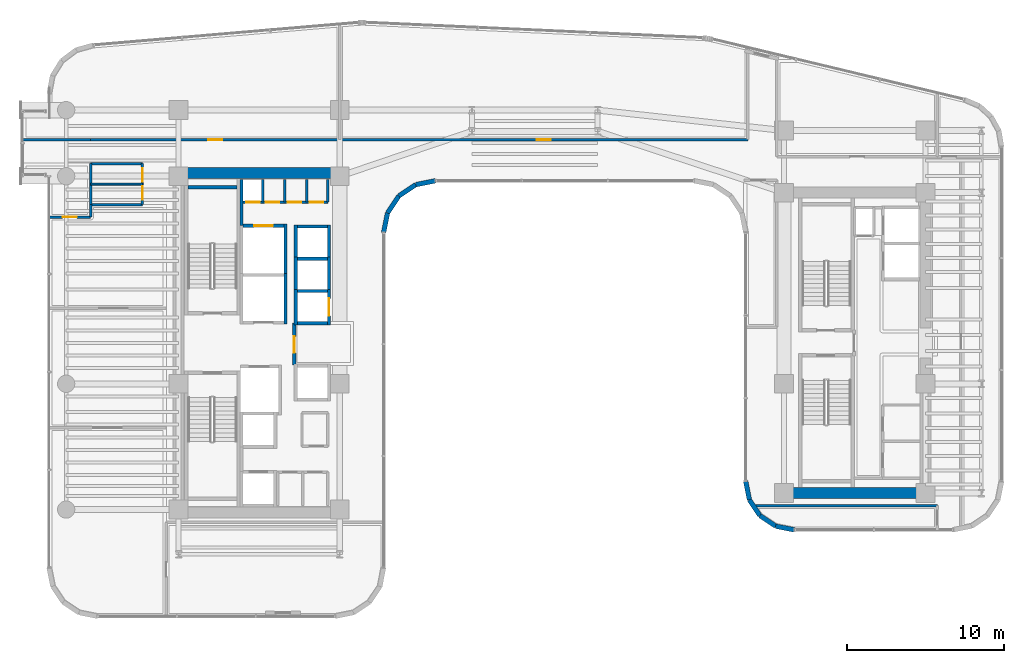
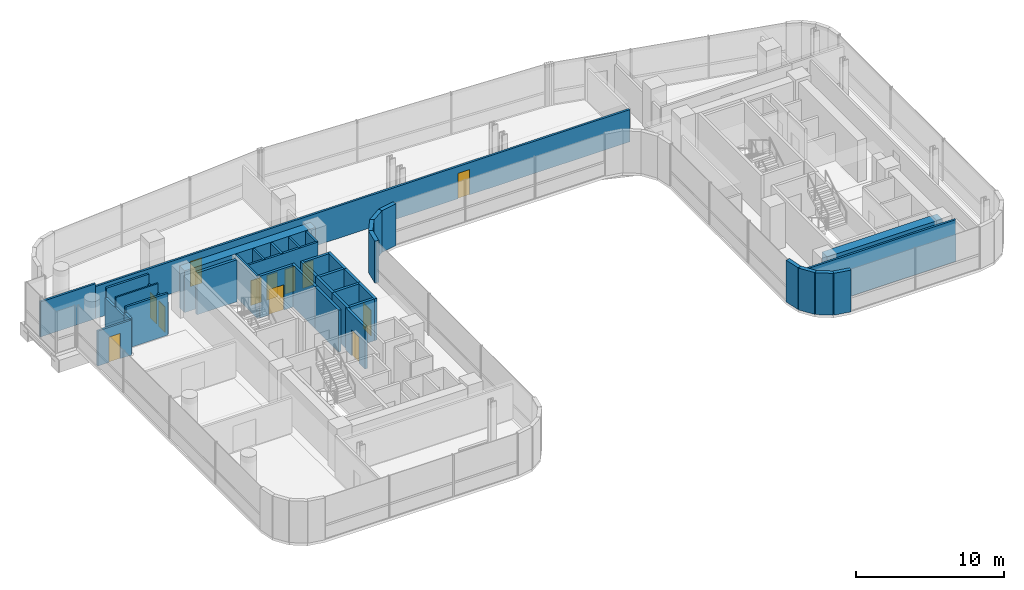
# One storey, part 28 of 35: 41 walls, 12 doors, 12 openings.
"""IFC4 building model written with IfcOpenShell, lengths in metres."""

from ifc_helpers import new_model, si_unit, direction, frame, frame_2d, origin, place, context, subcontext, project, spatial, rectangle, extrude, material, layer, layer_set, type_object, element, fill, save


model = new_model("IFC4")

# Units and contexts
model_context = context("Model", 3, precision=1e-05, world=origin(), true_north=direction((0.0, 1.0)))
body_context = subcontext(model_context, "Body", "Model", "MODEL_VIEW")
ifc_project = project(units=[si_unit("LENGTHUNIT", "METRE"), si_unit("AREAUNIT", "SQUARE_METRE"), si_unit("VOLUMEUNIT", "CUBIC_METRE"), si_unit("PLANEANGLEUNIT", "RADIAN"), si_unit("MASSUNIT", "GRAM", prefix="KILO")], contexts=[model_context])

# Site, building, storey
site_placement = place(None, origin())
site = spatial("IfcSite", under=ifc_project, at=site_placement, CompositionType="ELEMENT")
building_placement = place(site_placement, origin())
building = spatial("IfcBuilding", under=site, at=building_placement, Name="Valdorenza Pilgrim Sanctuary Tower", CompositionType="ELEMENT")
storey_placement = place(building_placement, frame((0.0, 0.0, 124.199951171875)))
storey = spatial("IfcBuildingStorey", under=building, at=storey_placement, Name="L31", CompositionType="ELEMENT", Elevation=124.199951171875)

# Wall
ifc_material_1 = material(Name="Acoustic twin-stud gypsum partition", Category="gypsum")
ifc_layer_1 = layer(ifc_material_1, 0.159912109375, Name="Acoustic twin-stud gypsum partition")
ifc_layer_set_1 = layer_set([ifc_layer_1], Name="Acoustic twin-stud gypsum partition")
wall_type_1 = type_object("IfcWallType", Name="WAL-COR-160", PredefinedType="PARTITIONING", material=ifc_layer_set_1)
wall_1_placement = place(storey_placement, frame((-18.64990234375, 7.449951171875, 0.0), z_axis=(0.0, 0.0, 1.0), x_axis=(0.0, 1.0, 0.0)))
element("IfcWall", 1, at=wall_1_placement, inside=storey, type_object=wall_type_1, Name="L31 Core A North Service West Wall", PredefinedType="PARTITIONING", context=body_context, shape_type="SweptSolid", body=[
    extrude(rectangle(XDim=2.929931640625, YDim=0.159912109375, at=frame_2d((1.46484375, 0.0))), origin(), (0.0, 0.0, 1.0), 3.4599609375),
])

# Wall, openings, doors
wall_2_placement = place(storey_placement, frame((-18.64990234375, 8.949951171875, 0.0), z_axis=(0.0, 0.0, 1.0), x_axis=(1.0, 0.0, 0.0)))
wall_2 = element("IfcWall", 2, at=wall_2_placement, inside=storey, type_object=wall_type_1, Name="L31 Core A North Service South Wall", PredefinedType="PARTITIONING", context=body_context, shape_type="SweptSolid", body=[
    extrude(rectangle(XDim=5.5, YDim=0.159912109375, at=frame_2d((2.75, 0.0))), origin(), (0.0, 0.0, 1.0), 3.4599609375),
])
opening_1_placement = place(wall_2_placement, frame((0.300048828125, 0.0, 0.0)))
opening_1 = element("IfcOpeningElement", 3, at=opening_1_placement, cuts=wall_2, Name="Opening DR-RS1", PredefinedType="OPENING", context=body_context, shape_type="SweptSolid", body=[
    extrude(rectangle(XDim=0.85009765625, YDim=2.050048828125, at=frame_2d((0.425048828125, 1.02490234375))), frame((0.0, 0.0947265625, 0.0), z_axis=(0.0, -1.0, 0.0), x_axis=(1.0, 0.0, 0.0)), (0.0, 0.0, 1.0), 0.189697265625),
])
opening_2_placement = place(wall_2_placement, frame((1.550048828125, 0.0, 0.0)))
opening_2 = element("IfcOpeningElement", 4, at=opening_2_placement, cuts=wall_2, Name="Opening DR-RS1", PredefinedType="OPENING", context=body_context, shape_type="SweptSolid", body=[
    extrude(rectangle(XDim=0.85009765625, YDim=2.050048828125, at=frame_2d((0.425048828125, 1.02490234375))), frame((0.0, 0.0947265625, 0.0), z_axis=(0.0, -1.0, 0.0), x_axis=(1.0, 0.0, 0.0)), (0.0, 0.0, 1.0), 0.189697265625),
])
opening_3_placement = place(wall_2_placement, frame((2.949951171875, 0.0, 0.0)))
opening_3 = element("IfcOpeningElement", 5, at=opening_3_placement, cuts=wall_2, Name="Opening DR-RS1", PredefinedType="OPENING", context=body_context, shape_type="SweptSolid", body=[
    extrude(rectangle(XDim=0.85009765625, YDim=2.050048828125, at=frame_2d((0.425048828125, 1.02490234375))), frame((0.0, 0.0947265625, 0.0), z_axis=(0.0, -1.0, 0.0), x_axis=(1.0, 0.0, 0.0)), (0.0, 0.0, 1.0), 0.189697265625),
])
opening_4_placement = place(wall_2_placement, frame((4.35009765625, 0.0, 0.0)))
opening_4 = element("IfcOpeningElement", 6, at=opening_4_placement, cuts=wall_2, Name="Opening DR-RS1", PredefinedType="OPENING", context=body_context, shape_type="SweptSolid", body=[
    extrude(rectangle(XDim=0.85009765625, YDim=2.050048828125, at=frame_2d((0.425048828125, 1.02490234375))), frame((0.0, 0.0947265625, 0.0), z_axis=(0.0, -1.0, 0.0), x_axis=(1.0, 0.0, 0.0)), (0.0, 0.0, 1.0), 0.189697265625),
])
ifc_material_2 = material(Name="Painted galvanized steel", Category="steel")
door_type_1 = type_object("IfcDoorType", Name="DR-RSR-850", OperationType="NOTDEFINED", PredefinedType="DOOR", material=ifc_material_2)
door_1_placement = place(opening_1_placement, origin())
door_1 = element("IfcDoor", 7, at=door_1_placement, inside=storey, type_object=door_type_1, Name="L31 Core Electrical and Telecom Riser Door", OperationType="SINGLE_SWING_LEFT", OverallHeight=2.050048828125, OverallWidth=0.85009765625, PredefinedType="DOOR", context=body_context, shape_type="SweptSolid", body=[
    extrude(rectangle(XDim=0.85009765625, YDim=2.050048828125, at=frame_2d((0.425048828125, 1.02490234375))), frame((0.0, 0.02490234375, 0.0), z_axis=(0.0, -1.0, 0.0), x_axis=(1.0, 0.0, 0.0)), (0.0, 0.0, 1.0), 0.050048828125),
])
fill(opening_1, door_1)
door_2_placement = place(opening_2_placement, origin())
door_2 = element("IfcDoor", 8, at=door_2_placement, inside=storey, type_object=door_type_1, Name="L31 Housekeeping and Clean Linen Room Door", OperationType="SINGLE_SWING_RIGHT", OverallHeight=2.050048828125, OverallWidth=0.85009765625, PredefinedType="DOOR", context=body_context, shape_type="SweptSolid", body=[
    extrude(rectangle(XDim=0.85009765625, YDim=2.050048828125, at=frame_2d((0.425048828125, 1.02490234375))), frame((0.0, 0.02490234375, 0.0), z_axis=(0.0, -1.0, 0.0), x_axis=(1.0, 0.0, 0.0)), (0.0, 0.0, 1.0), 0.050048828125),
])
fill(opening_2, door_2)
door_3_placement = place(opening_3_placement, origin())
door_3 = element("IfcDoor", 9, at=door_3_placement, inside=storey, type_object=door_type_1, Name="L31 Core IT Server Closet Door", OperationType="SINGLE_SWING_LEFT", OverallHeight=2.050048828125, OverallWidth=0.85009765625, PredefinedType="DOOR", context=body_context, shape_type="SweptSolid", body=[
    extrude(rectangle(XDim=0.85009765625, YDim=2.050048828125, at=frame_2d((0.425048828125, 1.02490234375))), frame((0.0, 0.02490234375, 0.0), z_axis=(0.0, -1.0, 0.0), x_axis=(1.0, 0.0, 0.0)), (0.0, 0.0, 1.0), 0.050048828125),
])
fill(opening_3, door_3)
door_4_placement = place(opening_4_placement, origin())
door_4 = element("IfcDoor", 10, at=door_4_placement, inside=storey, type_object=door_type_1, Name="L31 Core Staff Washroom Door", OperationType="SINGLE_SWING_RIGHT", OverallHeight=2.050048828125, OverallWidth=0.85009765625, PredefinedType="DOOR", context=body_context, shape_type="SweptSolid", body=[
    extrude(rectangle(XDim=0.85009765625, YDim=2.050048828125, at=frame_2d((0.425048828125, 1.02490234375))), frame((0.0, 0.02490234375, 0.0), z_axis=(0.0, -1.0, 0.0), x_axis=(1.0, 0.0, 0.0)), (0.0, 0.0, 1.0), 0.050048828125),
])
fill(opening_4, door_4)

# Walls
for number, where, z_axis, x_axis, name in (
    (11, (-13.14990234375, 8.949951171875, 0.0), (0.0, 0.0, 1.0), (0.0, 1.0, 0.0), "L31 Core A North Service East Wall"),
    (12, (-17.300048828125, 8.949951171875, 0.0), (0.0, 0.0, 1.0), (0.0, 1.0, 0.0), "L31 Core Electrical Riser Wall"),
    (13, (-15.89990234375, 8.949951171875, 0.0), (0.0, 0.0, 1.0), (0.0, 1.0, 0.0), "L31 Core A Split D1"),
    (14, (-14.5, 8.949951171875, 0.0), (0.0, 0.0, 1.0), (0.0, 1.0, 0.0), "L31 Core A Split D2"),
):
    element("IfcWall", number, at=place(storey_placement, frame(where, z_axis=z_axis, x_axis=x_axis)), inside=storey, type_object=wall_type_1, Name=name, PredefinedType="PARTITIONING", context=body_context, shape_type="SweptSolid", body=[
        extrude(rectangle(XDim=1.429931640625, YDim=0.159912109375, at=frame_2d((0.71484375, 0.0))), origin(), (0.0, 0.0, 1.0), 3.4599609375),
    ])
wall_3_placement = place(storey_placement, frame((-28.25, 8.800048828125, 0.0), z_axis=(0.0, 0.0, 1.0), x_axis=(0.0, 1.0, 0.0)))
element("IfcWall", 15, at=wall_3_placement, inside=storey, type_object=wall_type_1, Name="L31 Washroom West Wall", PredefinedType="PARTITIONING", context=body_context, shape_type="SweptSolid", body=[
    extrude(rectangle(XDim=2.599853515625, YDim=0.159912109375, at=frame_2d((1.2998046875, 0.0))), origin(), (0.0, 0.0, 1.0), 2.666015625),
])

# Wall, openings, doors
wall_4_placement = place(storey_placement, frame((-24.949951171875, 8.800048828125, 0.0), z_axis=(0.0, 0.0, 1.0), x_axis=(0.0, 1.0, 0.0)))
wall_4 = element("IfcWall", 16, at=wall_4_placement, inside=storey, type_object=wall_type_1, Name="L31 Washroom East Wall", PredefinedType="PARTITIONING", context=body_context, shape_type="SweptSolid", body=[
    extrude(rectangle(XDim=2.599853515625, YDim=0.159912109375, at=frame_2d((1.2998046875, 0.0))), origin(), (0.0, 0.0, 1.0), 2.666015625),
])
opening_5_placement = place(wall_4_placement, frame((0.300048828125, 0.0, 0.0)))
opening_5 = element("IfcOpeningElement", 17, at=opening_5_placement, cuts=wall_4, Name="Opening DR-WC1", PredefinedType="OPENING", context=body_context, shape_type="SweptSolid", body=[
    extrude(rectangle(XDim=0.85009765625, YDim=2.10009765625, at=frame_2d((0.425048828125, 1.050048828125))), frame((0.0, 0.0947265625, 0.0), z_axis=(0.0, -1.0, 0.0), x_axis=(1.0, 0.0, 0.0)), (0.0, 0.0, 1.0), 0.189697265625),
])
opening_6_placement = place(wall_4_placement, frame((1.449951171875, 0.0, 0.0)))
opening_6 = element("IfcOpeningElement", 18, at=opening_6_placement, cuts=wall_4, Name="Opening DR-WC1", PredefinedType="OPENING", context=body_context, shape_type="SweptSolid", body=[
    extrude(rectangle(XDim=0.85009765625, YDim=2.10009765625, at=frame_2d((0.425048828125, 1.050048828125))), frame((0.0, 0.0947265625, 0.0), z_axis=(0.0, -1.0, 0.0), x_axis=(1.0, 0.0, 0.0)), (0.0, 0.0, 1.0), 0.189697265625),
])
ifc_material_3 = material(Name="Moisture-resistant lacquered timber", Category="wood")
door_type_2 = type_object("IfcDoorType", Name="DR-BATH-850", OperationType="NOTDEFINED", PredefinedType="DOOR", material=ifc_material_3)
door_5_placement = place(opening_5_placement, origin())
door_5 = element("IfcDoor", 19, at=door_5_placement, inside=storey, type_object=door_type_2, Name="L31 Accessible Washroom Door", OperationType="SINGLE_SWING_RIGHT", OverallHeight=2.10009765625, OverallWidth=0.85009765625, PredefinedType="DOOR", context=body_context, shape_type="SweptSolid", body=[
    extrude(rectangle(XDim=0.85009765625, YDim=2.10009765625, at=frame_2d((0.425048828125, 1.050048828125))), frame((0.0, 0.02490234375, 0.0), z_axis=(0.0, -1.0, 0.0), x_axis=(1.0, 0.0, 0.0)), (0.0, 0.0, 1.0), 0.050048828125),
])
fill(opening_5, door_5)
door_6_placement = place(opening_6_placement, origin())
door_6 = element("IfcDoor", 20, at=door_6_placement, inside=storey, type_object=door_type_2, Name="L31 Public Washroom Door", OperationType="SINGLE_SWING_LEFT", OverallHeight=2.10009765625, OverallWidth=0.85009765625, PredefinedType="DOOR", context=body_context, shape_type="SweptSolid", body=[
    extrude(rectangle(XDim=0.85009765625, YDim=2.10009765625, at=frame_2d((0.425048828125, 1.050048828125))), frame((0.0, 0.02490234375, 0.0), z_axis=(0.0, -1.0, 0.0), x_axis=(1.0, 0.0, 0.0)), (0.0, 0.0, 1.0), 0.050048828125),
])
fill(opening_6, door_6)

# Walls
for number, where, z_axis, x_axis, name in (
    (21, (-28.25, 8.800048828125, 0.0), (0.0, 0.0, 1.0), (1.0, 0.0, 0.0), "L31 Washroom South Wall"),
    (22, (-28.25, 11.39990234375, 0.0), (0.0, 0.0, 1.0), (1.0, 0.0, 0.0), "L31 Washroom North Wall"),
):
    element("IfcWall", number, at=place(storey_placement, frame(where, z_axis=z_axis, x_axis=x_axis)), inside=storey, type_object=wall_type_1, Name=name, PredefinedType="PARTITIONING", context=body_context, shape_type="SweptSolid", body=[
        extrude(rectangle(XDim=3.300048828125, YDim=0.159912109375, at=frame_2d((1.64990234375, 0.0))), origin(), (0.0, 0.0, 1.0), 3.4599609375),
    ])

# Wall, opening, door
wall_5_placement = place(storey_placement, frame((-30.889892578125, 8.0, 0.0), z_axis=(0.0, 0.0, 1.0), x_axis=(1.0, 0.0, 0.0)))
wall_5 = element("IfcWall", 23, at=wall_5_placement, inside=storey, type_object=wall_type_1, Name="L31 Cloister North Room Wall", PredefinedType="PARTITIONING", context=body_context, shape_type="SweptSolid", body=[
    extrude(rectangle(XDim=2.639892578125, YDim=0.159912109375, at=frame_2d((1.31982421875, 0.0))), origin(), (0.0, 0.0, 1.0), 2.89599609375),
])
opening_7_placement = place(wall_5_placement, frame((0.8701171875, 0.0, 0.0)))
opening_7 = element("IfcOpeningElement", 24, at=opening_7_placement, cuts=wall_5, Name="Opening DR-RM1", PredefinedType="OPENING", context=body_context, shape_type="SweptSolid", body=[
    extrude(rectangle(XDim=0.89990234375, YDim=2.10009765625, at=frame_2d((0.449951171875, 1.050048828125))), frame((0.0, 0.0947265625, 0.0), z_axis=(0.0, -1.0, 0.0), x_axis=(1.0, 0.0, 0.0)), (0.0, 0.0, 1.0), 0.189697265625),
])
ifc_material_4 = material(Name="Solid-core European oak timber", Category="wood")
door_type_3 = type_object("IfcDoorType", Name="DR-ROOM-900", OperationType="NOTDEFINED", PredefinedType="DOOR", material=ifc_material_4)
door_7_placement = place(opening_7_placement, frame((0.89990234375, 0.0, 0.0), z_axis=(0.0, 0.0, 1.0), x_axis=(-1.0, 0.0, 0.0)))
door_7 = element("IfcDoor", 25, at=door_7_placement, inside=storey, type_object=door_type_3, Name="L31 North Contemplation Lounge L31 Door", OperationType="SINGLE_SWING_LEFT", OverallHeight=2.10009765625, OverallWidth=0.89990234375, PredefinedType="DOOR", context=body_context, shape_type="SweptSolid", body=[
    extrude(rectangle(XDim=0.89990234375, YDim=2.10009765625, at=frame_2d((0.449951171875, 1.050048828125))), frame((0.0, 0.02490234375, 0.0), z_axis=(0.0, -1.0, 0.0), x_axis=(1.0, 0.0, 0.0)), (0.0, 0.0, 1.0), 0.050048828125),
])
fill(opening_7, door_7)

# Walls
wall_6_placement = place(storey_placement, frame((-28.25, 8.0, 0.0), z_axis=(0.0, 0.0, 1.0), x_axis=(0.0, 1.0, 0.0)))
element("IfcWall", 26, at=wall_6_placement, inside=storey, type_object=wall_type_1, Name="L31 Cloister NE Closure", PredefinedType="PARTITIONING", context=body_context, shape_type="SweptSolid", body=[
    extrude(rectangle(XDim=0.800048828125, YDim=0.159912109375, at=frame_2d((0.39990234375, 0.0))), origin(), (0.0, 0.0, 1.0), 2.988037109375),
])
wall_7_placement = place(storey_placement, frame((-32.5400390625, 12.919921875, 0.0), z_axis=(0.0, 0.0, 1.0), x_axis=(1.0, 0.0, 0.0)))
element("IfcWall", 27, at=wall_7_placement, inside=storey, type_object=wall_type_1, Name="L31 Cloister North Solid Partition", PredefinedType="PARTITIONING", context=body_context, shape_type="SweptSolid", body=[
    extrude(rectangle(XDim=4.2900390625, YDim=0.159912109375, at=frame_2d((2.14501953125, 0.0))), origin(), (0.0, 0.0, 1.0), 2.89599609375),
])

# Wall, openings, doors
wall_8_placement = place(storey_placement, frame((-28.25, 12.919921875, 0.0), z_axis=(0.0, 0.0, 1.0), x_axis=(1.0, 0.0, 0.0)))
wall_8 = element("IfcWall", 28, at=wall_8_placement, inside=storey, type_object=wall_type_1, Name="L31 North Corridor Wall", PredefinedType="PARTITIONING", context=body_context, shape_type="SweptSolid", body=[
    extrude(rectangle(XDim=41.800048828125, YDim=0.159912109375, at=frame_2d((20.89990234375, 0.0))), origin(), (0.0, 0.0, 1.0), 2.666015625),
])
opening_8_placement = place(wall_8_placement, frame((7.47509765625, 0.0, 0.0)))
opening_8 = element("IfcOpeningElement", 29, at=opening_8_placement, cuts=wall_8, Name="Opening DR-RM1", PredefinedType="OPENING", context=body_context, shape_type="SweptSolid", body=[
    extrude(rectangle(XDim=0.89990234375, YDim=2.10009765625, at=frame_2d((0.449951171875, 1.050048828125))), frame((0.0, 0.0947265625, 0.0), z_axis=(0.0, -1.0, 0.0), x_axis=(1.0, 0.0, 0.0)), (0.0, 0.0, 1.0), 0.189697265625),
])
opening_9_placement = place(wall_8_placement, frame((28.375, 0.0, 0.0)))
opening_9 = element("IfcOpeningElement", 30, at=opening_9_placement, cuts=wall_8, Name="Opening DR-RM1", PredefinedType="OPENING", context=body_context, shape_type="SweptSolid", body=[
    extrude(rectangle(XDim=0.89990234375, YDim=2.10009765625, at=frame_2d((0.449951171875, 1.050048828125))), frame((0.0, 0.0947265625, 0.0), z_axis=(0.0, -1.0, 0.0), x_axis=(1.0, 0.0, 0.0)), (0.0, 0.0, 1.0), 0.189697265625),
])
door_8_placement = place(opening_8_placement, origin())
door_8 = element("IfcDoor", 31, at=door_8_placement, inside=storey, type_object=door_type_3, Name="L31 Sanctuary Administration Office L31-N1 Door", OperationType="SINGLE_SWING_RIGHT", OverallHeight=2.10009765625, OverallWidth=0.89990234375, PredefinedType="DOOR", context=body_context, shape_type="SweptSolid", body=[
    extrude(rectangle(XDim=0.89990234375, YDim=2.10009765625, at=frame_2d((0.449951171875, 1.050048828125))), frame((0.0, 0.02490234375, 0.0), z_axis=(0.0, -1.0, 0.0), x_axis=(1.0, 0.0, 0.0)), (0.0, 0.0, 1.0), 0.050048828125),
])
fill(opening_8, door_8)
door_9_placement = place(opening_9_placement, frame((0.89990234375, 0.0, 0.0), z_axis=(0.0, 0.0, 1.0), x_axis=(-1.0, 0.0, 0.0)))
door_9 = element("IfcDoor", 32, at=door_9_placement, inside=storey, type_object=door_type_3, Name="L31 Sanctuary Administration Office L31-N2 Door", OperationType="SINGLE_SWING_LEFT", OverallHeight=2.10009765625, OverallWidth=0.89990234375, PredefinedType="DOOR", context=body_context, shape_type="SweptSolid", body=[
    extrude(rectangle(XDim=0.89990234375, YDim=2.10009765625, at=frame_2d((0.449951171875, 1.050048828125))), frame((0.0, 0.02490234375, 0.0), z_axis=(0.0, -1.0, 0.0), x_axis=(1.0, 0.0, 0.0)), (0.0, 0.0, 1.0), 0.050048828125),
])
fill(opening_9, door_9)

# Walls
wall_9_placement = place(storey_placement, frame((14.043701171875, -10.35009765625, 0.0), z_axis=(0.0, 0.0, 1.0), x_axis=(1.0, 0.0, 0.0)))
element("IfcWall", 33, at=wall_9_placement, inside=storey, type_object=wall_type_1, Name="L31 Wing B South Closure", PredefinedType="PARTITIONING", context=body_context, shape_type="SweptSolid", body=[
    extrude(rectangle(XDim=11.556396484375, YDim=0.159912109375, at=frame_2d((5.7783203125, 0.0))), origin(), (0.0, 0.0, 1.0), 3.4599609375),
])
ifc_material_5 = material(Name="Concrete C60/75", Category="concrete")
ifc_layer_2 = layer(ifc_material_5, 0.699951171875, Name="Concrete C60/75")
ifc_layer_set_2 = layer_set([ifc_layer_2], Name="Concrete C60/75")
wall_type_2 = type_object("IfcWallType", Name="WAL-COR-700", PredefinedType="SHEAR", material=ifc_layer_set_2)
wall_10_placement = place(storey_placement, frame((-22.64990234375, 10.800048828125, 0.0), z_axis=(0.0, 0.0, 1.0), x_axis=(1.0, 0.0, 0.0)))
element("IfcWall", 34, at=wall_10_placement, inside=storey, type_object=wall_type_2, Name="L31 Split Core A Shear Wall N", PredefinedType="SHEAR", context=body_context, shape_type="SweptSolid", body=[
    extrude(rectangle(XDim=10.25, YDim=0.699951171875, at=frame_2d((5.125, 0.0))), origin(), (0.0, 0.0, 1.0), 3.4599609375),
])
wall_11_placement = place(storey_placement, frame((15.85009765625, -9.550048828125, 0.0), z_axis=(0.0, 0.0, 1.0), x_axis=(1.0, 0.0, 0.0)))
element("IfcWall", 35, at=wall_11_placement, inside=storey, type_object=wall_type_2, Name="L31 Split Core B Shear Wall S", PredefinedType="SHEAR", context=body_context, shape_type="SweptSolid", body=[
    extrude(rectangle(XDim=9.0, YDim=0.699951171875, at=frame_2d((4.5, 0.0))), origin(), (0.0, 0.0, 1.0), 3.4599609375),
])
ifc_material_6 = material(Name="Honed travertine limestone", Category="masonry")
ifc_layer_3 = layer(ifc_material_6, 0.300048828125, Name="Honed travertine limestone")
ifc_layer_set_3 = layer_set([ifc_layer_3], Name="Honed travertine limestone")
wall_type_3 = type_object("IfcWallType", Name="WAL-EXT-300", PredefinedType="SOLIDWALL", material=ifc_layer_set_3)
wall_12_placement = place(storey_placement, frame((16.5107421875, -11.889892578125, 0.0), z_axis=(0.0, 0.0, 1.0), x_axis=(-0.980804027463, 0.194996050505, 0.0)))
element("IfcWall", 36, at=wall_12_placement, inside=storey, type_object=wall_type_3, Name="L31 Rounded Wind-Corner Stone Pier 27", PredefinedType="SOLIDWALL", context=body_context, shape_type="SweptSolid", body=[
    extrude(rectangle(XDim=1.2158203125, YDim=0.300048828125, at=frame_2d((0.60791015625, 0.0))), origin(), (0.0, 0.0, 1.0), 3.4599609375),
])
for number, where, z_axis, x_axis, name in (
    (37, (15.318359375, -11.65283203125, 0.0), (0.0, 0.0, 1.0), (-0.831426265255, 0.555635100982, 0.0), "L31 Rounded Wind-Corner Stone Pier 28"),
    (38, (14.316650390625, -10.9833984375, 0.0), (0.0, 0.0, 1.0), (-0.555635100982, 0.831426265255, 0.0), "L31 Rounded Wind-Corner Stone Pier 29"),
):
    element("IfcWall", number, at=place(storey_placement, frame(where, z_axis=z_axis, x_axis=x_axis)), inside=storey, type_object=wall_type_3, Name=name, PredefinedType="SOLIDWALL", context=body_context, shape_type="SweptSolid", body=[
        extrude(rectangle(XDim=1.204833984375, YDim=0.300048828125, at=frame_2d((0.6025390625, 0.0))), origin(), (0.0, 0.0, 1.0), 3.4599609375),
    ])
wall_13_placement = place(storey_placement, frame((13.647216796875, -9.981689453125, 0.0), z_axis=(0.0, 0.0, 1.0), x_axis=(-0.195189223115, 0.980765602568, 0.0)))
element("IfcWall", 39, at=wall_13_placement, inside=storey, type_object=wall_type_3, Name="L31 Rounded Wind-Corner Stone Pier 30", PredefinedType="SOLIDWALL", context=body_context, shape_type="SweptSolid", body=[
    extrude(rectangle(XDim=1.2158203125, YDim=0.300048828125, at=frame_2d((0.60791015625, 0.0))), origin(), (0.0, 0.0, 1.0), 3.4599609375),
])
wall_14_placement = place(storey_placement, frame((-6.310791015625, 10.31005859375, 0.0), z_axis=(0.0, 0.0, 1.0), x_axis=(-0.980778058848, -0.195126623715, 0.0)))
element("IfcWall", 40, at=wall_14_placement, inside=storey, type_object=wall_type_3, Name="L31 Rounded Wind-Corner Stone Pier 37", PredefinedType="SOLIDWALL", context=body_context, shape_type="SweptSolid", body=[
    extrude(rectangle(XDim=1.28125, YDim=0.300048828125, at=frame_2d((0.640625, 0.0))), origin(), (0.0, 0.0, 1.0), 3.4599609375),
])
wall_15_placement = place(storey_placement, frame((-7.5673828125, 10.06005859375, 0.0), z_axis=(0.0, 0.0, 1.0), x_axis=(-0.831497739511, -0.555528135371, 0.0)))
element("IfcWall", 41, at=wall_15_placement, inside=storey, type_object=wall_type_3, Name="L31 Rounded Wind-Corner Stone Pier 38", PredefinedType="SOLIDWALL", context=body_context, shape_type="SweptSolid", body=[
    extrude(rectangle(XDim=1.29248046875, YDim=0.300048828125, at=frame_2d((0.646240234375, 0.0))), origin(), (0.0, 0.0, 1.0), 3.4599609375),
])
wall_16_placement = place(storey_placement, frame((-8.64208984375, 9.342041015625, 0.0), z_axis=(0.0, 0.0, 1.0), x_axis=(-0.555615398575, -0.831439431869, 0.0)))
element("IfcWall", 42, at=wall_16_placement, inside=storey, type_object=wall_type_3, Name="L31 Rounded Wind-Corner Stone Pier 39", PredefinedType="SOLIDWALL", context=body_context, shape_type="SweptSolid", body=[
    extrude(rectangle(XDim=1.292236328125, YDim=0.300048828125, at=frame_2d((0.64599609375, 0.0))), origin(), (0.0, 0.0, 1.0), 3.4599609375),
])
wall_17_placement = place(storey_placement, frame((-9.360107421875, 8.267578125, 0.0), z_axis=(0.0, 0.0, 1.0), x_axis=(-0.195090163074, -0.980785312019, 0.0)))
element("IfcWall", 43, at=wall_17_placement, inside=storey, type_object=wall_type_3, Name="L31 Rounded Wind-Corner Stone Pier 40", PredefinedType="SOLIDWALL", context=body_context, shape_type="SweptSolid", body=[
    extrude(rectangle(XDim=1.281494140625, YDim=0.300048828125, at=frame_2d((0.640625, 0.0))), origin(), (0.0, 0.0, 1.0), 3.4599609375),
])

# Wall, opening, door
ifc_material_7 = material(Name="Gypsum shaftwall partition", Category="gypsum")
ifc_layer_4 = layer(ifc_material_7, 0.199951171875, Name="Gypsum shaftwall partition")
ifc_layer_set_4 = layer_set([ifc_layer_4], Name="Gypsum shaftwall partition")
wall_type_4 = type_object("IfcWallType", Name="WAL-FFL-200", PredefinedType="PARTITIONING", material=ifc_layer_set_4)
wall_18_placement = place(storey_placement, frame((-15.300048828125, -1.419921875, 0.0), z_axis=(0.0, 0.0, 1.0), x_axis=(0.0, 1.0, 0.0)))
wall_18 = element("IfcWall", 44, at=wall_18_placement, inside=storey, type_object=wall_type_4, Name="L31 Core A Firefighting Lobby East Wall", PredefinedType="PARTITIONING", context=body_context, shape_type="SweptSolid", body=[
    extrude(rectangle(XDim=2.669921875, YDim=0.199951171875, at=frame_2d((1.3349609375, 0.0))), origin(), (0.0, 0.0, 1.0), 3.4599609375),
])
opening_10_placement = place(wall_18_placement, frame((0.780029296875, 0.0, 0.0)))
opening_10 = element("IfcOpeningElement", 45, at=opening_10_placement, cuts=wall_18, Name="Opening DR-FL1", PredefinedType="OPENING", context=body_context, shape_type="SweptSolid", body=[
    extrude(rectangle(XDim=1.050048828125, YDim=2.14990234375, at=frame_2d((0.52490234375, 1.074951171875))), frame((0.0, 0.11474609375, 0.0), z_axis=(0.0, -1.0, 0.0), x_axis=(1.0, 0.0, 0.0)), (0.0, 0.0, 1.0), 0.229736328125),
])
door_type_4 = type_object("IfcDoorType", Name="DR-FFL-1050", OperationType="NOTDEFINED", PredefinedType="DOOR", material=ifc_material_2)
door_10_placement = place(opening_10_placement, origin())
door_10 = element("IfcDoor", 46, at=door_10_placement, inside=storey, type_object=door_type_4, Name="L31 Core A Firefighting Lobby Door", OperationType="SINGLE_SWING_RIGHT", OverallHeight=2.14990234375, OverallWidth=1.050048828125, PredefinedType="DOOR", context=body_context, shape_type="SweptSolid", body=[
    extrude(rectangle(XDim=1.050048828125, YDim=2.14990234375, at=frame_2d((0.52490234375, 1.074951171875))), frame((0.0, 0.02490234375, 0.0), z_axis=(0.0, -1.0, 0.0), x_axis=(1.0, 0.0, 0.0)), (0.0, 0.0, 1.0), 0.050048828125),
])
fill(opening_10, door_10)

# Walls
ifc_material_8 = material(Name="Moisture-resistant gypsum partition", Category="gypsum")
ifc_layer_5 = layer(ifc_material_8, 0.1201171875, Name="Moisture-resistant gypsum partition")
ifc_layer_set_5 = layer_set([ifc_layer_5], Name="Moisture-resistant gypsum partition")
wall_type_5 = type_object("IfcWallType", Name="WAL-INT-120", PredefinedType="PARTITIONING", material=ifc_layer_set_5)
wall_19_placement = place(storey_placement, frame((-28.25, 10.10009765625, 0.0), z_axis=(0.0, 0.0, 1.0), x_axis=(1.0, 0.0, 0.0)))
element("IfcWall", 47, at=wall_19_placement, inside=storey, type_object=wall_type_5, Name="L31 Washroom Divider Wall", PredefinedType="PARTITIONING", context=body_context, shape_type="SweptSolid", body=[
    extrude(rectangle(XDim=3.300048828125, YDim=0.1201171875, at=frame_2d((1.64990234375, 0.0))), origin(), (0.0, 0.0, 1.0), 3.4599609375),
])
ifc_material_9 = material(Name="Autoclaved aerated concrete blockwork", Category="masonry")
ifc_layer_6 = layer(ifc_material_9, 0.199951171875, Name="Autoclaved aerated concrete blockwork")
ifc_layer_set_6 = layer_set([ifc_layer_6], Name="Autoclaved aerated concrete blockwork")
wall_type_6 = type_object("IfcWallType", Name="WAL-SHF-200", PredefinedType="MOVABLE", material=ifc_layer_set_6)
wall_20_placement = place(storey_placement, frame((-15.85009765625, 1.199951171875, 0.0), z_axis=(0.0, 0.0, 1.0), x_axis=(0.0, 1.0, 0.0)))
element("IfcWall", 48, at=wall_20_placement, inside=storey, type_object=wall_type_6, Name="L31 Lift FFL-01 Hoistway Wall East", PredefinedType="MOVABLE", context=body_context, shape_type="SweptSolid", body=[
    extrude(rectangle(XDim=3.22509765625, YDim=0.199951171875, at=frame_2d((1.612548828125, 0.0))), origin(), (0.0, 0.0, 1.0), 3.4599609375),
])
wall_21_placement = place(storey_placement, frame((-15.85009765625, 4.22509765625, 0.0), z_axis=(0.0, 0.0, 1.0), x_axis=(0.0, 1.0, 0.0)))
element("IfcWall", 49, at=wall_21_placement, inside=storey, type_object=wall_type_6, Name="L31 Lift SVL-01 Hoistway Wall East", PredefinedType="MOVABLE", context=body_context, shape_type="SweptSolid", body=[
    extrude(rectangle(XDim=3.324951171875, YDim=0.199951171875, at=frame_2d((1.66259765625, 0.0))), origin(), (0.0, 0.0, 1.0), 3.4599609375),
])

# Wall, opening, door
wall_22_placement = place(storey_placement, frame((-18.550048828125, 7.449951171875, 0.0), z_axis=(0.0, 0.0, 1.0), x_axis=(1.0, 0.0, 0.0)))
wall_22 = element("IfcWall", 50, at=wall_22_placement, inside=storey, type_object=wall_type_6, Name="L31 Lift SVL-01 Hoistway Wall North", PredefinedType="MOVABLE", context=body_context, shape_type="SweptSolid", body=[
    extrude(rectangle(XDim=2.60009765625, YDim=0.199951171875, at=frame_2d((1.300048828125, 0.0))), origin(), (0.0, 0.0, 1.0), 3.4599609375),
])
opening_11_placement = place(wall_22_placement, frame((0.699951171875, 0.0, 0.0)))
opening_11 = element("IfcOpeningElement", 51, at=opening_11_placement, cuts=wall_22, Name="Opening LD-02", PredefinedType="OPENING", context=body_context, shape_type="SweptSolid", body=[
    extrude(rectangle(XDim=1.199951171875, YDim=2.10009765625, at=frame_2d((0.60009765625, 1.050048828125))), frame((0.0, 0.11474609375, 0.0), z_axis=(0.0, -1.0, 0.0), x_axis=(1.0, 0.0, 0.0)), (0.0, 0.0, 1.0), 0.229736328125),
])
ifc_material_10 = material(Name="Brushed stainless steel Grade 316", Category="steel")
door_type_5 = type_object("IfcDoorType", Name="DR-LFT-1200", OperationType="DOUBLE_DOOR_SLIDING", PredefinedType="DOOR", material=ifc_material_10)
door_11_placement = place(opening_11_placement, origin())
door_11 = element("IfcDoor", 52, at=door_11_placement, inside=storey, type_object=door_type_5, Name="L31 Lift SVL-01 Sliding Landing Door", OperationType="DOUBLE_DOOR_SLIDING", OverallHeight=2.10009765625, OverallWidth=1.199951171875, PredefinedType="DOOR", context=body_context, shape_type="SweptSolid", body=[
    extrude(rectangle(XDim=1.199951171875, YDim=2.10009765625, at=frame_2d((0.60009765625, 1.050048828125))), frame((0.0, 0.02490234375, 0.0), z_axis=(0.0, -1.0, 0.0), x_axis=(1.0, 0.0, 0.0)), (0.0, 0.0, 1.0), 0.050048828125),
])
fill(opening_11, door_11)

# Wall
wall_23_placement = place(storey_placement, frame((-15.199951171875, 1.14990234375, 0.0), z_axis=(0.0, 0.0, 1.0), x_axis=(0.0, 1.0, 0.0)))
element("IfcWall", 53, at=wall_23_placement, inside=storey, type_object=wall_type_6, Name="L31 Lift PL-06 Hoistway Wall West", PredefinedType="MOVABLE", context=body_context, shape_type="SweptSolid", body=[
    extrude(rectangle(XDim=2.25, YDim=0.199951171875, at=frame_2d((1.125, 0.0))), origin(), (0.0, 0.0, 1.0), 3.4599609375),
])

# Wall, opening, door
wall_24_placement = place(storey_placement, frame((-13.080078125, 1.14990234375, 0.0), z_axis=(0.0, 0.0, 1.0), x_axis=(0.0, 1.0, 0.0)))
wall_24 = element("IfcWall", 54, at=wall_24_placement, inside=storey, type_object=wall_type_6, Name="L31 Lift PL-06 Hoistway Wall East", PredefinedType="MOVABLE", context=body_context, shape_type="SweptSolid", body=[
    extrude(rectangle(XDim=2.25, YDim=0.199951171875, at=frame_2d((1.125, 0.0))), origin(), (0.0, 0.0, 1.0), 3.4599609375),
])
opening_12_placement = place(wall_24_placement, frame((0.574951171875, 0.0, 0.0)))
opening_12 = element("IfcOpeningElement", 55, at=opening_12_placement, cuts=wall_24, Name="Opening LD-01", PredefinedType="OPENING", context=body_context, shape_type="SweptSolid", body=[
    extrude(rectangle(XDim=1.10009765625, YDim=2.10009765625, at=frame_2d((0.550048828125, 1.050048828125))), frame((0.0, 0.11474609375, 0.0), z_axis=(0.0, -1.0, 0.0), x_axis=(1.0, 0.0, 0.0)), (0.0, 0.0, 1.0), 0.229736328125),
])
door_type_6 = type_object("IfcDoorType", Name="DR-LFT-1100", OperationType="DOUBLE_DOOR_SLIDING", PredefinedType="DOOR", material=ifc_material_10)
door_12_placement = place(opening_12_placement, origin())
door_12 = element("IfcDoor", 56, at=door_12_placement, inside=storey, type_object=door_type_6, Name="L31 Lift PL-06 Sliding Landing Door", OperationType="DOUBLE_DOOR_SLIDING", OverallHeight=2.10009765625, OverallWidth=1.10009765625, PredefinedType="DOOR", context=body_context, shape_type="SweptSolid", body=[
    extrude(rectangle(XDim=1.10009765625, YDim=2.10009765625, at=frame_2d((0.550048828125, 1.050048828125))), frame((0.0, 0.02490234375, 0.0), z_axis=(0.0, -1.0, 0.0), x_axis=(1.0, 0.0, 0.0)), (0.0, 0.0, 1.0), 0.050048828125),
])
fill(opening_12, door_12)

# Walls
wall_25_placement = place(storey_placement, frame((-15.10009765625, 1.25, 0.0), z_axis=(0.0, 0.0, 1.0), x_axis=(1.0, 0.0, 0.0)))
element("IfcWall", 57, at=wall_25_placement, inside=storey, type_object=wall_type_6, Name="L31 Lift PL-06 Hoistway Wall South", PredefinedType="MOVABLE", context=body_context, shape_type="SweptSolid", body=[
    extrude(rectangle(XDim=1.920166015625, YDim=0.199951171875, at=frame_2d((0.9599609375, 0.0))), origin(), (0.0, 0.0, 1.0), 3.4599609375),
])
for number, where, z_axis, x_axis, name in (
    (58, (-15.199951171875, 3.199951171875, 0.0), (0.0, 0.0, 1.0), (0.0, 1.0, 0.0), "L31 Lift PL-09 Hoistway Wall West"),
    (59, (-13.080078125, 3.199951171875, 0.0), (0.0, 0.0, 1.0), (0.0, 1.0, 0.0), "L31 Lift PL-09 Hoistway Wall East"),
):
    element("IfcWall", number, at=place(storey_placement, frame(where, z_axis=z_axis, x_axis=x_axis)), inside=storey, type_object=wall_type_6, Name=name, PredefinedType="MOVABLE", context=body_context, shape_type="SweptSolid", body=[
        extrude(rectangle(XDim=2.25, YDim=0.199951171875, at=frame_2d((1.125, 0.0))), origin(), (0.0, 0.0, 1.0), 3.4599609375),
    ])
for number, where, z_axis, x_axis, name in (
    (60, (-15.10009765625, 3.300048828125, 0.0), (0.0, 0.0, 1.0), (1.0, 0.0, 0.0), "L31 Lift PL-09 Hoistway Wall South"),
    (61, (-15.10009765625, 5.35009765625, 0.0), (0.0, 0.0, 1.0), (1.0, 0.0, 0.0), "L31 Lift PL-09 Hoistway Wall North"),
):
    element("IfcWall", number, at=place(storey_placement, frame(where, z_axis=z_axis, x_axis=x_axis)), inside=storey, type_object=wall_type_6, Name=name, PredefinedType="MOVABLE", context=body_context, shape_type="SweptSolid", body=[
        extrude(rectangle(XDim=1.920166015625, YDim=0.199951171875, at=frame_2d((0.9599609375, 0.0))), origin(), (0.0, 0.0, 1.0), 3.4599609375),
    ])
for number, where, z_axis, x_axis, name in (
    (62, (-15.199951171875, 5.25, 0.0), (0.0, 0.0, 1.0), (0.0, 1.0, 0.0), "L31 Lift PL-10 Hoistway Wall West"),
    (63, (-13.080078125, 5.25, 0.0), (0.0, 0.0, 1.0), (0.0, 1.0, 0.0), "L31 Lift PL-10 Hoistway Wall East"),
):
    element("IfcWall", number, at=place(storey_placement, frame(where, z_axis=z_axis, x_axis=x_axis)), inside=storey, type_object=wall_type_6, Name=name, PredefinedType="MOVABLE", context=body_context, shape_type="SweptSolid", body=[
        extrude(rectangle(XDim=2.25, YDim=0.199951171875, at=frame_2d((1.125, 0.0))), origin(), (0.0, 0.0, 1.0), 3.4599609375),
    ])
wall_26_placement = place(storey_placement, frame((-15.10009765625, 7.39990234375, 0.0), z_axis=(0.0, 0.0, 1.0), x_axis=(1.0, 0.0, 0.0)))
element("IfcWall", 64, at=wall_26_placement, inside=storey, type_object=wall_type_6, Name="L31 Lift PL-10 Hoistway Wall North", PredefinedType="MOVABLE", context=body_context, shape_type="SweptSolid", body=[
    extrude(rectangle(XDim=1.920166015625, YDim=0.199951171875, at=frame_2d((0.9599609375, 0.0))), origin(), (0.0, 0.0, 1.0), 3.4599609375),
])
ifc_material_11 = material(Name="Concrete C40/50", Category="concrete")
ifc_layer_7 = layer(ifc_material_11, 0.219970703125, Name="Concrete C40/50")
ifc_layer_set_7 = layer_set([ifc_layer_7], Name="Concrete C40/50")
wall_type_7 = type_object("IfcWallType", Name="WAL-STR-SHF-220", PredefinedType="SHEAR", material=ifc_layer_set_7)
wall_27_placement = place(storey_placement, frame((-22.050048828125, 9.909912109375, 0.0), z_axis=(0.0, 0.0, 1.0), x_axis=(1.0, 0.0, 0.0)))
element("IfcWall", 65, at=wall_27_placement, inside=storey, type_object=wall_type_7, Name="L31 ST-A1 Structural Stairwell Wall N", PredefinedType="SHEAR", context=body_context, shape_type="SweptSolid", body=[
    extrude(rectangle(XDim=3.110107421875, YDim=0.219970703125, at=frame_2d((1.55517578125, 0.0))), origin(), (0.0, 0.0, 1.0), 3.4599609375),
])

save(model, "model.ifc")
